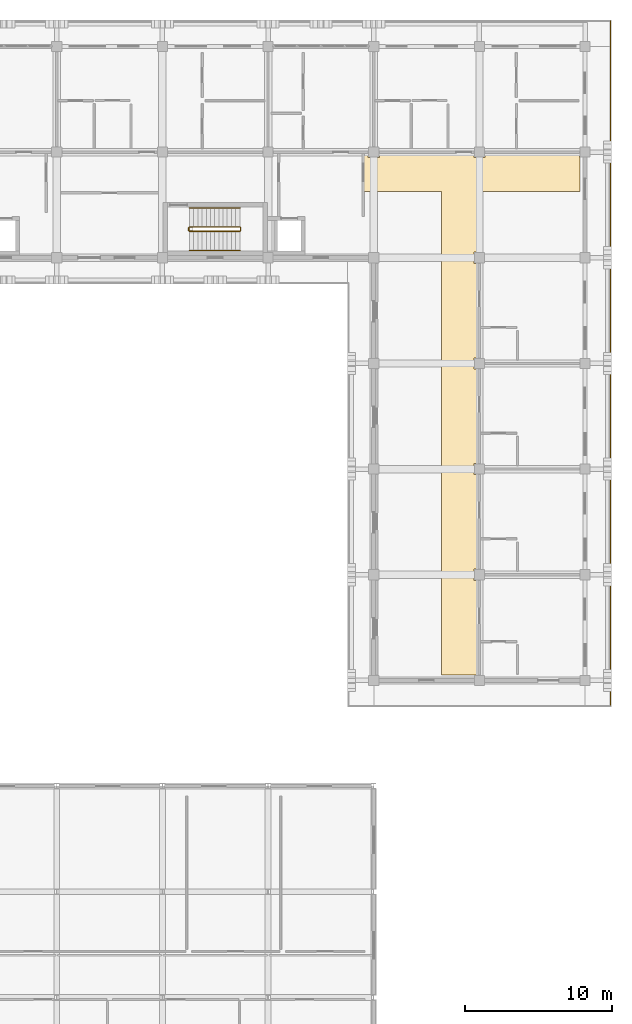
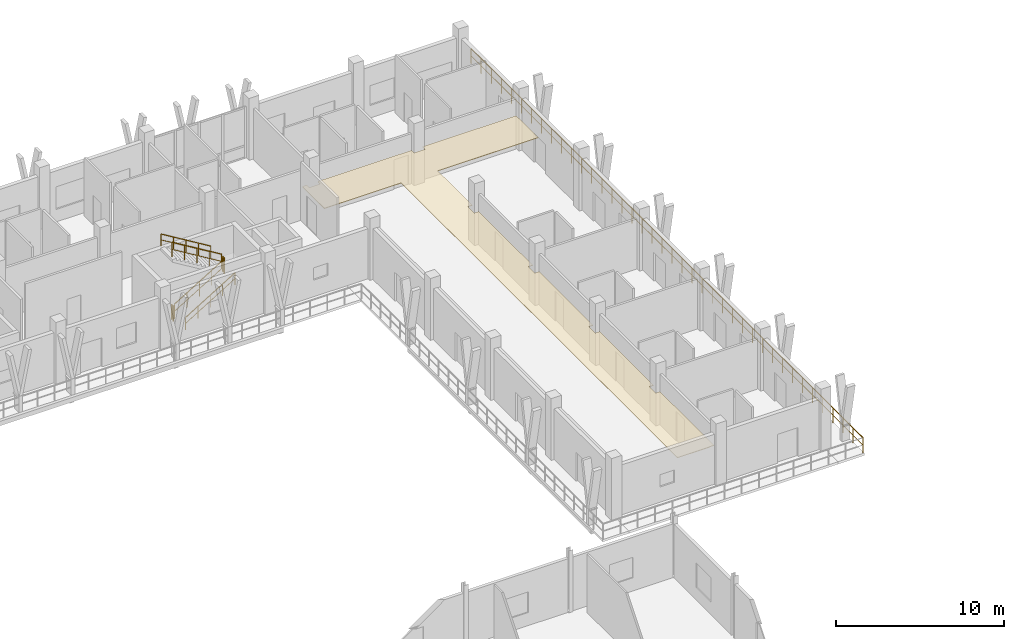
# One storey, part 110 of 110: 7 railings, 1 covering.
"""IFC4 building model written with IfcOpenShell, lengths in metres."""

from ifc_helpers import new_model, si_unit, direction, frame, origin, origin_2d, place, context, subcontext, project, spatial, polyline, rectangle, outline, extrude, material, layer, layer_set, type_object, element, save


model = new_model("IFC4")

# Units and contexts
model_context = context("Model", 3, precision=1e-05, world=origin(), true_north=direction((0.0, 1.0)))
body_context = subcontext(model_context, "Body", "Model", "MODEL_VIEW")
ifc_project = project(units=[si_unit("LENGTHUNIT", "METRE"), si_unit("AREAUNIT", "SQUARE_METRE"), si_unit("VOLUMEUNIT", "CUBIC_METRE"), si_unit("PLANEANGLEUNIT", "RADIAN"), si_unit("MASSUNIT", "GRAM", prefix="KILO")], contexts=[model_context])

# Site, building, storey
site_placement = place(None, origin())
site = spatial("IfcSite", under=ifc_project, at=site_placement, CompositionType="ELEMENT")
building_placement = place(site_placement, origin())
building = spatial("IfcBuilding", under=site, at=building_placement, Name="Suanplinth Sawtooth Commons", CompositionType="ELEMENT")
storey_placement = place(building_placement, frame((0.0, 0.0, 4.5)))
storey = spatial("IfcBuildingStorey", under=building, at=storey_placement, Name="L01", CompositionType="ELEMENT", Elevation=4.5)

# Covering
ifc_material_1 = material(Name="Mineral fibre acoustic tile")
ifc_layer = layer(ifc_material_1, 0.0400390625, Name="Perforated mineral-fibre acoustic suspended ceiling")
ifc_layer_set = layer_set([ifc_layer], Name="Mineral fibre acoustic tile")
covering_type = type_object("IfcCoveringType", Name="CV-CE01", PredefinedType="CEILING", material=ifc_layer_set)
covering_placement = place(storey_placement, frame((0.0, 0.0, 2.3798828125)))
element("IfcCovering", 1, at=covering_placement, inside=storey, type_object=covering_type, Name="L01 Block B Corridor Acoustic Ceiling", PredefinedType="CEILING", context=body_context, shape_type="SweptSolid", body=[
    extrude(outline(polyline([(172.419921875, 115.1201171875), (172.419921875, 114.820068359375), (173.179931640625, 114.820068359375), (173.179931640625, 115.1201171875), (179.6201171875, 115.1201171875), (179.6201171875, 114.820068359375), (180.3798828125, 114.820068359375), (180.3798828125, 115.1201171875), (186.820068359375, 115.1201171875), (186.820068359375, 114.820068359375), (186.840087890625, 114.820068359375), (186.840087890625, 112.5), (179.919921875, 112.5), (179.919921875, 108.3798828125), (179.6201171875, 108.3798828125), (179.6201171875, 107.6201171875), (179.919921875, 107.6201171875), (179.919921875, 101.179931640625), (179.6201171875, 101.179931640625), (179.6201171875, 100.419921875), (179.919921875, 100.419921875), (179.919921875, 93.97998046875), (179.6201171875, 93.97998046875), (179.6201171875, 93.219970703125), (179.919921875, 93.219970703125), (179.919921875, 86.780029296875), (179.6201171875, 86.780029296875), (179.6201171875, 86.02001953125), (179.919921875, 86.02001953125), (179.919921875, 79.580078125), (179.6201171875, 79.580078125), (179.6201171875, 79.56005859375), (177.39990234375, 79.56005859375), (177.39990234375, 112.5), (172.1201171875, 112.5), (172.1201171875, 115.1201171875), (172.419921875, 115.1201171875)])), origin(), (0.0, 0.0, 1.0), 0.0400390625),
])

# Railings
ifc_material_2 = material(Name="Powder-coated galvanized steel", Category="steel")
railing_type_1 = type_object("IfcRailingType", Name="GR-01", PredefinedType="BALUSTRADE", material=ifc_material_2)
railing_1_placement = place(storey_placement, frame((188.93994140625, 124.139892578125, 0.0)))
element("IfcRailing", 2, at=railing_1_placement, inside=storey, type_object=railing_type_1, Name="L01 Block B Perimeter Balustrade 5", PredefinedType="BALUSTRADE", context=body_context, shape_type="SweptSolid", body=[
    extrude(rectangle(XDim=0.048095703125, YDim=0.048095703125, at=origin_2d()), frame((0.0, 0.0, 1.09619140625), z_axis=(0.0, -1.0, 0.0), x_axis=(1.0, 0.0, 0.0)), (0.0, 0.0, 1.0), 46.679931640625),
    extrude(rectangle(XDim=0.03369140625, YDim=0.03369140625, at=origin_2d()), frame((0.0, 0.0, 0.56005859375), z_axis=(0.0, -1.0, 0.0), x_axis=(1.0, 0.0, 0.0)), (0.0, 0.0, 1.0), 46.679931640625),
    extrude(rectangle(XDim=0.0419921875, YDim=0.0419921875, at=origin_2d()), origin(), (0.0, 0.0, 1.0), 1.072021484375),
    extrude(rectangle(XDim=0.0419921875, YDim=0.0419921875, at=origin_2d()), frame((0.0, -1.197021484375, 0.0)), (0.0, 0.0, 1.0), 1.072021484375),
    extrude(rectangle(XDim=0.0419921875, YDim=0.0419921875, at=origin_2d()), frame((0.0, -2.393798828125, 0.0)), (0.0, 0.0, 1.0), 1.072021484375),
    extrude(rectangle(XDim=0.0419921875, YDim=0.0419921875, at=origin_2d()), frame((0.0, -3.5908203125, 0.0)), (0.0, 0.0, 1.0), 1.072021484375),
    extrude(rectangle(XDim=0.0419921875, YDim=0.0419921875, at=origin_2d()), frame((0.0, -4.78759765625, 0.0)), (0.0, 0.0, 1.0), 1.072021484375),
    extrude(rectangle(XDim=0.0419921875, YDim=0.0419921875, at=origin_2d()), frame((0.0, -5.984619140625, 0.0)), (0.0, 0.0, 1.0), 1.072021484375),
    extrude(rectangle(XDim=0.0419921875, YDim=0.0419921875, at=origin_2d()), frame((0.0, -7.181640625, 0.0)), (0.0, 0.0, 1.0), 1.072021484375),
    extrude(rectangle(XDim=0.0419921875, YDim=0.0419921875, at=origin_2d()), frame((0.0, -8.37841796875, 0.0)), (0.0, 0.0, 1.0), 1.072021484375),
    extrude(rectangle(XDim=0.0419921875, YDim=0.0419921875, at=origin_2d()), frame((0.0, -9.575439453125, 0.0)), (0.0, 0.0, 1.0), 1.072021484375),
    extrude(rectangle(XDim=0.0419921875, YDim=0.0419921875, at=origin_2d()), frame((0.0, -10.772216796875, 0.0)), (0.0, 0.0, 1.0), 1.072021484375),
    extrude(rectangle(XDim=0.0419921875, YDim=0.0419921875, at=origin_2d()), frame((0.0, -11.96923828125, 0.0)), (0.0, 0.0, 1.0), 1.072021484375),
    extrude(rectangle(XDim=0.0419921875, YDim=0.0419921875, at=origin_2d()), frame((0.0, -13.166015625, 0.0)), (0.0, 0.0, 1.0), 1.072021484375),
    extrude(rectangle(XDim=0.0419921875, YDim=0.0419921875, at=origin_2d()), frame((0.0, -14.363037109375, 0.0)), (0.0, 0.0, 1.0), 1.072021484375),
    extrude(rectangle(XDim=0.0419921875, YDim=0.0419921875, at=origin_2d()), frame((0.0, -15.56005859375, 0.0)), (0.0, 0.0, 1.0), 1.072021484375),
    extrude(rectangle(XDim=0.0419921875, YDim=0.0419921875, at=origin_2d()), frame((0.0, -16.7568359375, 0.0)), (0.0, 0.0, 1.0), 1.072021484375),
    extrude(rectangle(XDim=0.0419921875, YDim=0.0419921875, at=origin_2d()), frame((0.0, -17.953857421875, 0.0)), (0.0, 0.0, 1.0), 1.072021484375),
    extrude(rectangle(XDim=0.0419921875, YDim=0.0419921875, at=origin_2d()), frame((0.0, -19.150634765625, 0.0)), (0.0, 0.0, 1.0), 1.072021484375),
    extrude(rectangle(XDim=0.0419921875, YDim=0.0419921875, at=origin_2d()), frame((0.0, -20.34765625, 0.0)), (0.0, 0.0, 1.0), 1.072021484375),
    extrude(rectangle(XDim=0.0419921875, YDim=0.0419921875, at=origin_2d()), frame((0.0, -21.544677734375, 0.0)), (0.0, 0.0, 1.0), 1.072021484375),
    extrude(rectangle(XDim=0.0419921875, YDim=0.0419921875, at=origin_2d()), frame((0.0, -22.741455078125, 0.0)), (0.0, 0.0, 1.0), 1.072021484375),
    extrude(rectangle(XDim=0.0419921875, YDim=0.0419921875, at=origin_2d()), frame((0.0, -23.9384765625, 0.0)), (0.0, 0.0, 1.0), 1.072021484375),
    extrude(rectangle(XDim=0.0419921875, YDim=0.0419921875, at=origin_2d()), frame((0.0, -25.13525390625, 0.0)), (0.0, 0.0, 1.0), 1.072021484375),
    extrude(rectangle(XDim=0.0419921875, YDim=0.0419921875, at=origin_2d()), frame((0.0, -26.332275390625, 0.0)), (0.0, 0.0, 1.0), 1.072021484375),
    extrude(rectangle(XDim=0.0419921875, YDim=0.0419921875, at=origin_2d()), frame((0.0, -27.529296875, 0.0)), (0.0, 0.0, 1.0), 1.072021484375),
    extrude(rectangle(XDim=0.0419921875, YDim=0.0419921875, at=origin_2d()), frame((0.0, -28.72607421875, 0.0)), (0.0, 0.0, 1.0), 1.072021484375),
    extrude(rectangle(XDim=0.0419921875, YDim=0.0419921875, at=origin_2d()), frame((0.0, -29.923095703125, 0.0)), (0.0, 0.0, 1.0), 1.072021484375),
    extrude(rectangle(XDim=0.0419921875, YDim=0.0419921875, at=origin_2d()), frame((0.0, -31.119873046875, 0.0)), (0.0, 0.0, 1.0), 1.072021484375),
    extrude(rectangle(XDim=0.0419921875, YDim=0.0419921875, at=origin_2d()), frame((0.0, -32.31689453125, 0.0)), (0.0, 0.0, 1.0), 1.072021484375),
    extrude(rectangle(XDim=0.0419921875, YDim=0.0419921875, at=origin_2d()), frame((0.0, -33.513916015625, 0.0)), (0.0, 0.0, 1.0), 1.072021484375),
    extrude(rectangle(XDim=0.0419921875, YDim=0.0419921875, at=origin_2d()), frame((0.0, -34.710693359375, 0.0)), (0.0, 0.0, 1.0), 1.072021484375),
    extrude(rectangle(XDim=0.0419921875, YDim=0.0419921875, at=origin_2d()), frame((0.0, -35.90771484375, 0.0)), (0.0, 0.0, 1.0), 1.072021484375),
    extrude(rectangle(XDim=0.0419921875, YDim=0.0419921875, at=origin_2d()), frame((0.0, -37.1044921875, 0.0)), (0.0, 0.0, 1.0), 1.072021484375),
    extrude(rectangle(XDim=0.0419921875, YDim=0.0419921875, at=origin_2d()), frame((0.0, -38.301513671875, 0.0)), (0.0, 0.0, 1.0), 1.072021484375),
    extrude(rectangle(XDim=0.0419921875, YDim=0.0419921875, at=origin_2d()), frame((0.0, -39.498291015625, 0.0)), (0.0, 0.0, 1.0), 1.072021484375),
    extrude(rectangle(XDim=0.0419921875, YDim=0.0419921875, at=origin_2d()), frame((0.0, -40.6953125, 0.0)), (0.0, 0.0, 1.0), 1.072021484375),
    extrude(rectangle(XDim=0.0419921875, YDim=0.0419921875, at=origin_2d()), frame((0.0, -41.892333984375, 0.0)), (0.0, 0.0, 1.0), 1.072021484375),
    extrude(rectangle(XDim=0.0419921875, YDim=0.0419921875, at=origin_2d()), frame((0.0, -43.089111328125, 0.0)), (0.0, 0.0, 1.0), 1.072021484375),
    extrude(rectangle(XDim=0.0419921875, YDim=0.0419921875, at=origin_2d()), frame((0.0, -44.2861328125, 0.0)), (0.0, 0.0, 1.0), 1.072021484375),
    extrude(rectangle(XDim=0.0419921875, YDim=0.0419921875, at=origin_2d()), frame((0.0, -45.48291015625, 0.0)), (0.0, 0.0, 1.0), 1.072021484375),
    extrude(rectangle(XDim=0.0419921875, YDim=0.0419921875, at=origin_2d()), frame((0.0, -46.679931640625, 0.0)), (0.0, 0.0, 1.0), 1.072021484375),
])
ifc_material_3 = material(Name="Stainless steel Grade 304", Category="steel")
railing_type_2 = type_object("IfcRailingType", Name="GR-04", PredefinedType="GUARDRAIL", material=ifc_material_3)
railing_2_placement = place(storey_placement, frame((160.25, 109.800048828125, 0.173095703125)))
element("IfcRailing", 3, at=railing_2_placement, inside=storey, type_object=railing_type_2, Name="L01 ST-E2 Guard 1", PredefinedType="GUARDRAIL", context=body_context, shape_type="SweptSolid", body=[
    extrude(rectangle(XDim=0.048095703125, YDim=0.048095703125, at=origin_2d()), frame((0.0, 0.0, 1.076171875), z_axis=(0.854729506542, 0.0, 0.519073665916), x_axis=(0.0, 1.0, 0.0)), (0.0, 0.0, 1.0), 4.001220703125),
    extrude(rectangle(XDim=0.03369140625, YDim=0.03369140625, at=origin_2d()), frame((0.0, 0.0, 0.550048828125), z_axis=(0.854729506542, 0.0, 0.519073665916), x_axis=(0.0, 1.0, 0.0)), (0.0, 0.0, 1.0), 4.001220703125),
    extrude(rectangle(XDim=0.0419921875, YDim=0.0419921875, at=origin_2d()), origin(), (0.0, 0.0, 1.0), 1.052001953125),
    extrude(rectangle(XDim=0.0419921875, YDim=0.0419921875, at=origin_2d()), frame((0.85498046875, 0.0, 0.519287109375)), (0.0, 0.0, 1.0), 1.052001953125),
    extrude(rectangle(XDim=0.0419921875, YDim=0.0419921875, at=origin_2d()), frame((1.7099609375, 0.0, 1.03857421875)), (0.0, 0.0, 1.0), 1.052001953125),
    extrude(rectangle(XDim=0.0419921875, YDim=0.0419921875, at=origin_2d()), frame((2.56494140625, 0.0, 1.5576171875)), (0.0, 0.0, 1.0), 1.052001953125),
    extrude(rectangle(XDim=0.0419921875, YDim=0.0419921875, at=origin_2d()), frame((3.419921875, 0.0, 2.076904296875)), (0.0, 0.0, 1.0), 1.052001953125),
])
railing_3_placement = place(storey_placement, frame((163.719970703125, 109.85009765625, 2.25)))
element("IfcRailing", 4, at=railing_3_placement, inside=storey, type_object=railing_type_2, Name="L01 ST-E2 Guard 2", PredefinedType="GUARDRAIL", context=body_context, shape_type="SweptSolid", body=[
    extrude(rectangle(XDim=0.048095703125, YDim=0.048095703125, at=origin_2d()), frame((0.0, 0.0, 1.076171875), z_axis=(0.0, 1.0, 0.0), x_axis=(-1.0, 0.0, 0.0)), (0.0, 0.0, 1.0), 0.199951171875),
    extrude(rectangle(XDim=0.03369140625, YDim=0.03369140625, at=origin_2d()), frame((0.0, 0.0, 0.550048828125), z_axis=(0.0, 1.0, 0.0), x_axis=(-1.0, 0.0, 0.0)), (0.0, 0.0, 1.0), 0.199951171875),
    extrude(rectangle(XDim=0.0419921875, YDim=0.0419921875, at=origin_2d()), origin(), (0.0, 0.0, 1.0), 1.052001953125),
    extrude(rectangle(XDim=0.0419921875, YDim=0.0419921875, at=origin_2d()), frame((0.0, 0.199951171875, 0.0)), (0.0, 0.0, 1.0), 1.052001953125),
])
railing_4_placement = place(storey_placement, frame((163.669921875, 110.10009765625, 2.423095703125)))
element("IfcRailing", 5, at=railing_4_placement, inside=storey, type_object=railing_type_2, Name="L01 ST-E2 Guard 3", PredefinedType="GUARDRAIL", context=body_context, shape_type="SweptSolid", body=[
    extrude(rectangle(XDim=0.048095703125, YDim=0.048095703125, at=origin_2d()), frame((0.0, 0.0, 1.076171875), z_axis=(-0.854729506542, 0.0, 0.519073665916), x_axis=(0.0, -1.0, 0.0)), (0.0, 0.0, 1.0), 4.001220703125),
    extrude(rectangle(XDim=0.03369140625, YDim=0.03369140625, at=origin_2d()), frame((0.0, 0.0, 0.550048828125), z_axis=(-0.854729506542, 0.0, 0.519073665916), x_axis=(0.0, -1.0, 0.0)), (0.0, 0.0, 1.0), 4.001220703125),
    extrude(rectangle(XDim=0.0419921875, YDim=0.0419921875, at=origin_2d()), origin(), (0.0, 0.0, 1.0), 1.052001953125),
    extrude(rectangle(XDim=0.0419921875, YDim=0.0419921875, at=origin_2d()), frame((-0.85498046875, 0.0, 0.519287109375)), (0.0, 0.0, 1.0), 1.052001953125),
    extrude(rectangle(XDim=0.0419921875, YDim=0.0419921875, at=origin_2d()), frame((-1.7099609375, 0.0, 1.03857421875)), (0.0, 0.0, 1.0), 1.052001953125),
    extrude(rectangle(XDim=0.0419921875, YDim=0.0419921875, at=origin_2d()), frame((-2.56494140625, 0.0, 1.5576171875)), (0.0, 0.0, 1.0), 1.052001953125),
    extrude(rectangle(XDim=0.0419921875, YDim=0.0419921875, at=origin_2d()), frame((-3.419921875, 0.0, 2.076904296875)), (0.0, 0.0, 1.0), 1.052001953125),
])
railing_5_placement = place(storey_placement, frame((160.199951171875, 109.85009765625, 0.0)))
element("IfcRailing", 6, at=railing_5_placement, inside=storey, type_object=railing_type_2, Name="L01 ST-E2 Guard 4", PredefinedType="GUARDRAIL", context=body_context, shape_type="SweptSolid", body=[
    extrude(rectangle(XDim=0.048095703125, YDim=0.048095703125, at=origin_2d()), frame((0.0, 0.0, 1.076171875), z_axis=(0.0, 1.0, 0.0), x_axis=(-1.0, 0.0, 0.0)), (0.0, 0.0, 1.0), 0.199951171875),
    extrude(rectangle(XDim=0.03369140625, YDim=0.03369140625, at=origin_2d()), frame((0.0, 0.0, 0.550048828125), z_axis=(0.0, 1.0, 0.0), x_axis=(-1.0, 0.0, 0.0)), (0.0, 0.0, 1.0), 0.199951171875),
    extrude(rectangle(XDim=0.0419921875, YDim=0.0419921875, at=origin_2d()), origin(), (0.0, 0.0, 1.0), 1.052001953125),
    extrude(rectangle(XDim=0.0419921875, YDim=0.0419921875, at=origin_2d()), frame((0.0, 0.199951171875, 0.0)), (0.0, 0.0, 1.0), 1.052001953125),
])
railing_type_3 = type_object("IfcRailingType", Name="HR-01", PredefinedType="HANDRAIL", material=ifc_material_3)
railing_6_placement = place(storey_placement, frame((160.25, 108.5, 0.173095703125)))
element("IfcRailing", 7, at=railing_6_placement, inside=storey, type_object=railing_type_3, Name="L01 ST-E2 Handrail 1", PredefinedType="HANDRAIL", context=body_context, shape_type="SweptSolid", body=[
    extrude(rectangle(XDim=0.048095703125, YDim=0.048095703125, at=origin_2d()), frame((0.0, 0.0, 0.8759765625), z_axis=(0.854729506542, 0.0, 0.519073665916), x_axis=(0.0, 1.0, 0.0)), (0.0, 0.0, 1.0), 4.001220703125),
    extrude(rectangle(XDim=0.03369140625, YDim=0.03369140625, at=origin_2d()), frame((0.0, 0.0, 0.449951171875), z_axis=(0.854729506542, 0.0, 0.519073665916), x_axis=(0.0, 1.0, 0.0)), (0.0, 0.0, 1.0), 4.001220703125),
    extrude(rectangle(XDim=0.0419921875, YDim=0.0419921875, at=origin_2d()), origin(), (0.0, 0.0, 1.0), 0.851806640625),
    extrude(rectangle(XDim=0.0419921875, YDim=0.0419921875, at=origin_2d()), frame((0.85498046875, 0.0, 0.519287109375)), (0.0, 0.0, 1.0), 0.851806640625),
    extrude(rectangle(XDim=0.0419921875, YDim=0.0419921875, at=origin_2d()), frame((1.7099609375, 0.0, 1.03857421875)), (0.0, 0.0, 1.0), 0.851806640625),
    extrude(rectangle(XDim=0.0419921875, YDim=0.0419921875, at=origin_2d()), frame((2.56494140625, 0.0, 1.5576171875)), (0.0, 0.0, 1.0), 0.851806640625),
    extrude(rectangle(XDim=0.0419921875, YDim=0.0419921875, at=origin_2d()), frame((3.419921875, 0.0, 2.076904296875)), (0.0, 0.0, 1.0), 0.851806640625),
])
railing_7_placement = place(storey_placement, frame((163.669921875, 111.39990234375, 2.423095703125)))
element("IfcRailing", 8, at=railing_7_placement, inside=storey, type_object=railing_type_3, Name="L01 ST-E2 Handrail 2", PredefinedType="HANDRAIL", context=body_context, shape_type="SweptSolid", body=[
    extrude(rectangle(XDim=0.048095703125, YDim=0.048095703125, at=origin_2d()), frame((0.0, 0.0, 0.8759765625), z_axis=(-0.854729506542, 0.0, 0.519073665916), x_axis=(0.0, -1.0, 0.0)), (0.0, 0.0, 1.0), 4.001220703125),
    extrude(rectangle(XDim=0.03369140625, YDim=0.03369140625, at=origin_2d()), frame((0.0, 0.0, 0.449951171875), z_axis=(-0.854729506542, 0.0, 0.519073665916), x_axis=(0.0, -1.0, 0.0)), (0.0, 0.0, 1.0), 4.001220703125),
    extrude(rectangle(XDim=0.0419921875, YDim=0.0419921875, at=origin_2d()), origin(), (0.0, 0.0, 1.0), 0.851806640625),
    extrude(rectangle(XDim=0.0419921875, YDim=0.0419921875, at=origin_2d()), frame((-0.85498046875, 0.0, 0.519287109375)), (0.0, 0.0, 1.0), 0.851806640625),
    extrude(rectangle(XDim=0.0419921875, YDim=0.0419921875, at=origin_2d()), frame((-1.7099609375, 0.0, 1.03857421875)), (0.0, 0.0, 1.0), 0.851806640625),
    extrude(rectangle(XDim=0.0419921875, YDim=0.0419921875, at=origin_2d()), frame((-2.56494140625, 0.0, 1.5576171875)), (0.0, 0.0, 1.0), 0.851806640625),
    extrude(rectangle(XDim=0.0419921875, YDim=0.0419921875, at=origin_2d()), frame((-3.419921875, 0.0, 2.076904296875)), (0.0, 0.0, 1.0), 0.851806640625),
])

save(model, "model.ifc")
